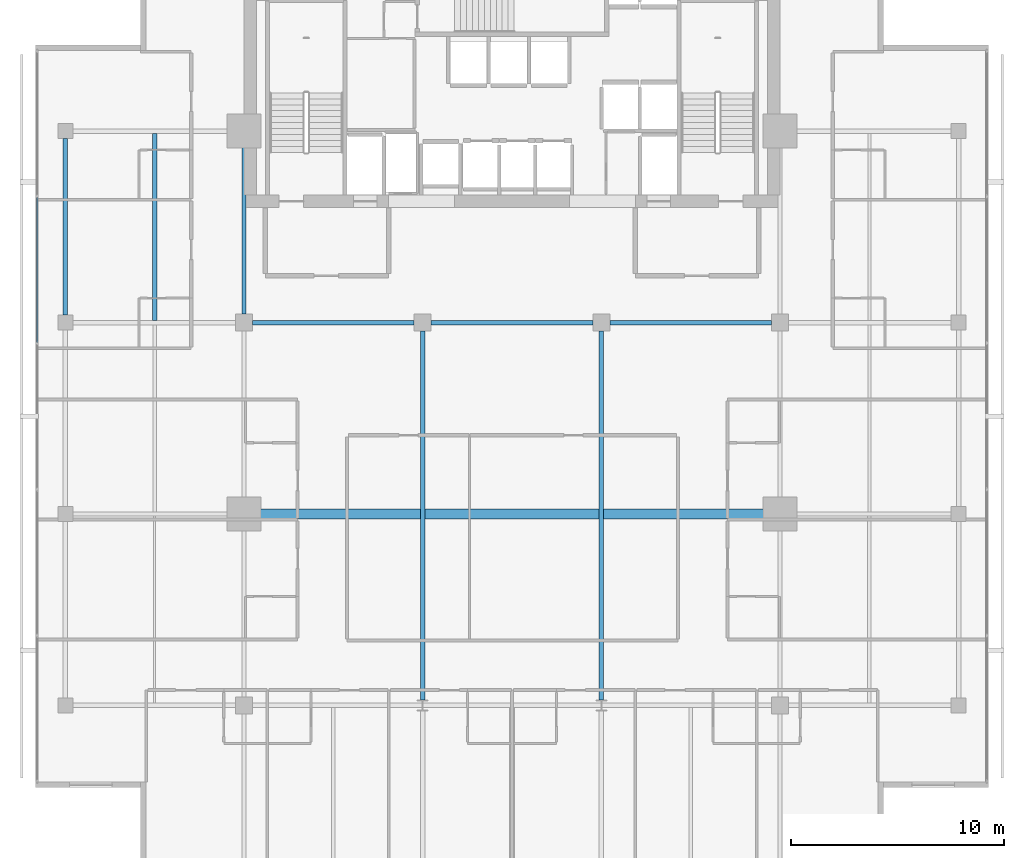
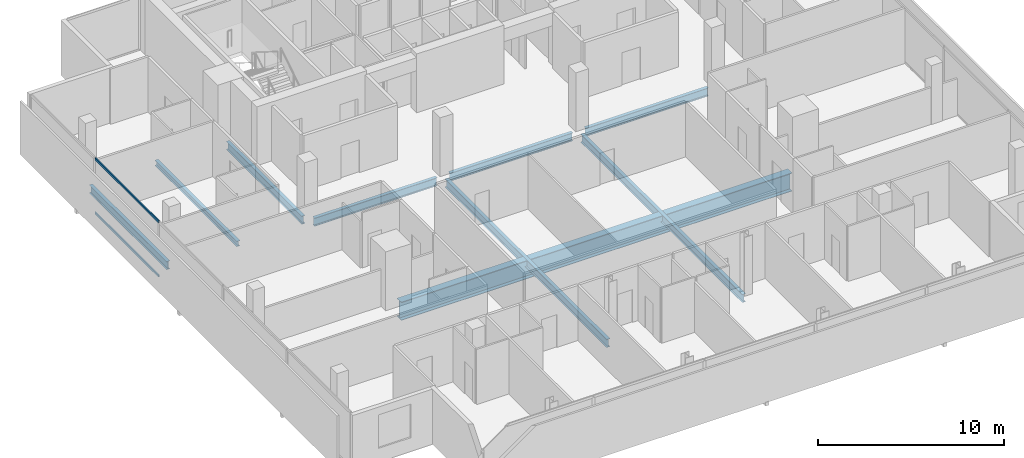
# One storey, part 9 of 25: 9 beams, 2 members, 1 element without a shape of its own.
"""IFC4 building model written with IfcOpenShell, lengths in metres."""

from ifc_helpers import new_model, si_unit, direction, frame, origin, origin_2d, place, context, subcontext, project, spatial, hollow_rectangle, i_section, extrude, material, layer, layer_set, material_profile, profile_set, type_object, element, aggregate, save


model = new_model("IFC4")

# Units and contexts
model_context = context("Model", 3, precision=1e-05, world=origin(), true_north=direction((0.0, 1.0)))
body_context = subcontext(model_context, "Body", "Model", "MODEL_VIEW")
ifc_project = project(units=[si_unit("LENGTHUNIT", "METRE"), si_unit("AREAUNIT", "SQUARE_METRE"), si_unit("VOLUMEUNIT", "CUBIC_METRE"), si_unit("PLANEANGLEUNIT", "RADIAN"), si_unit("MASSUNIT", "GRAM", prefix="KILO")], contexts=[model_context])

# Site, building, storey
site_placement = place(None, origin())
site = spatial("IfcSite", under=ifc_project, at=site_placement, CompositionType="ELEMENT")
building_placement = place(site_placement, origin())
building = spatial("IfcBuilding", under=site, at=building_placement, Name="Maruvema Waterfront Hotel and Observation Tower", CompositionType="ELEMENT")
storey_placement = place(building_placement, frame((0.0, 0.0, 239.39990234375)))
storey = spatial("IfcBuildingStorey", under=building, at=storey_placement, Name="L58", CompositionType="ELEMENT", Elevation=239.39990234375)

# Curtain wall, members
ifc_material_1 = material(Name="Anodised bronze aluminium and solar-control low-E IGU", Category="aluminium")
ifc_layer = layer(ifc_material_1, 0.159912109375, Name="Zone 3 Champagne Inner Thermal Curtain Wall System CW-04")
ifc_layer_set = layer_set([ifc_layer], Name="Anodised bronze aluminium and solar-control low-E IGU")
curtain_wall_type = type_object("IfcCurtainWallType", Name="Zone 3 Champagne Inner Thermal Curtain Wall System CW-04", PredefinedType="USERDEFINED", material=ifc_layer_set)
curtain_wall_placement = place(storey_placement, origin())
curtain_wall = element("IfcCurtainWall", 1, at=curtain_wall_placement, inside=storey, type_object=curtain_wall_type, Name="L58 Curtain Wall CW-L58-W", ObjectType="UNITISED CURTAIN WALL", PredefinedType="USERDEFINED")
ifc_material_2 = material(Name="Anodised architectural bronze aluminium", Category="aluminium")
ifc_material_profile_1 = material_profile(ifc_material_2, hollow_rectangle(XDim=0.070068359375, YDim=0.14990234375, WallThickness=0.00390625, at=origin_2d()), Name="ALU-T70x150")
ifc_profile_set_1 = profile_set([ifc_material_profile_1], Name="Anodised architectural bronze aluminium")
member_type = type_object("IfcMemberType", Name="Curtain Wall Horizontal Transom ALU-T70x150", PredefinedType="USERDEFINED", material=ifc_profile_set_1)
member_1_placement = place(storey_placement, frame((15.47998046875, 41.889892578125, 0.030029296875), z_axis=(0.0, -1.0, 0.0), x_axis=(1.0, 0.0, 0.0)))
member_1 = element("IfcMember", 2, at=member_1_placement, type_object=member_type, Name="CW-04 transom 2.1", ObjectType="TRANSOM", PredefinedType="USERDEFINED", context=body_context, shape_type="SweptSolid", body=[
    extrude(hollow_rectangle(XDim=0.070068359375, YDim=0.14990234375, WallThickness=0.00390625, at=origin_2d()), origin(), (0.0, 0.0, 1.0), 6.81982421875),
])
member_2_placement = place(storey_placement, frame((15.47998046875, 41.889892578125, 3.580078125), z_axis=(0.0, -1.0, 0.0), x_axis=(1.0, 0.0, 0.0)))
member_2 = element("IfcMember", 3, at=member_2_placement, type_object=member_type, Name="CW-04 transom 2.2", ObjectType="TRANSOM", PredefinedType="USERDEFINED", context=body_context, shape_type="SweptSolid", body=[
    extrude(hollow_rectangle(XDim=0.070068359375, YDim=0.14990234375, WallThickness=0.00390625, at=origin_2d()), origin(), (0.0, 0.0, 1.0), 6.81982421875),
])
aggregate(curtain_wall, [member_1, member_2])

# Beams
ifc_material_3 = material(Name="Steel ASTM A572 Grade 50", Category="steel")
ifc_material_profile_2 = material_profile(ifc_material_3, i_section(OverallWidth=0.208984375, OverallDepth=0.532958984375, WebThickness=0.01025390625, FlangeThickness=0.015625, FilletRadius=0.014892578125, at=origin_2d()), Name="W530x92.0")
ifc_profile_set_2 = profile_set([ifc_material_profile_2], Name="Steel ASTM A572 Grade 50")
beam_type_1 = type_object("IfcBeamType", Name="Primary Floor Girder W530x92.0", PredefinedType="BEAM", material=ifc_profile_set_2)
beam_1_placement = place(storey_placement, frame((25.60009765625, 36.0, -0.50634765625), z_axis=(1.0, 0.0, 0.0), x_axis=(0.0, 1.0, 0.0)))
element("IfcBeam", 4, at=beam_1_placement, inside=storey, type_object=beam_type_1, Name="L58 Floor Girder EW-13", PredefinedType="BEAM", context=body_context, shape_type="SweptSolid", body=[
    extrude(i_section(OverallWidth=0.208984375, OverallDepth=0.532958984375, WebThickness=0.01025390625, FlangeThickness=0.015625, FilletRadius=0.014892578125, at=origin_2d()), origin(), (0.0, 0.0, 1.0), 7.599853515625),
])
for number, where, z_axis, x_axis, name in (
    (5, (34.0, 36.0, -0.50634765625), (1.0, 0.0, 0.0), (0.0, 1.0, 0.0), "L58 Floor Girder EW-14"),
    (6, (42.39990234375, 36.0, -0.50634765625), (1.0, 0.0, 0.0), (0.0, 1.0, 0.0), "L58 Floor Girder EW-15"),
):
    element("IfcBeam", number, at=place(storey_placement, frame(where, z_axis=z_axis, x_axis=x_axis)), inside=storey, type_object=beam_type_1, Name=name, PredefinedType="BEAM", context=body_context, shape_type="SweptSolid", body=[
        extrude(i_section(OverallWidth=0.208984375, OverallDepth=0.532958984375, WebThickness=0.01025390625, FlangeThickness=0.015625, FilletRadius=0.014892578125, at=origin_2d()), origin(), (0.0, 0.0, 1.0), 7.60009765625),
    ])
beam_2_placement = place(storey_placement, frame((16.800048828125, 36.35009765625, -0.50634765625), z_axis=(0.0, 1.0, 0.0), x_axis=(-1.0, 0.0, 0.0)))
element("IfcBeam", 7, at=beam_2_placement, inside=storey, type_object=beam_type_1, Name="L58 Floor Girder NS-03", PredefinedType="BEAM", context=body_context, shape_type="SweptSolid", body=[
    extrude(i_section(OverallWidth=0.208984375, OverallDepth=0.532958984375, WebThickness=0.01025390625, FlangeThickness=0.015625, FilletRadius=0.014892578125, at=origin_2d()), origin(), (0.0, 0.0, 1.0), 8.2998046875),
])
beam_3_placement = place(storey_placement, frame((25.199951171875, 36.39990234375, -0.50634765625), z_axis=(0.0, 1.0, 0.0), x_axis=(-1.0, 0.0, 0.0)))
element("IfcBeam", 8, at=beam_3_placement, inside=storey, type_object=beam_type_1, Name="L58 Floor Girder NS-07", PredefinedType="BEAM", context=body_context, shape_type="SweptSolid", body=[
    extrude(i_section(OverallWidth=0.208984375, OverallDepth=0.532958984375, WebThickness=0.01025390625, FlangeThickness=0.015625, FilletRadius=0.014892578125, at=origin_2d()), origin(), (0.0, 0.0, 1.0), 8.10009765625),
])
for number, where, z_axis, x_axis, name in (
    (9, (33.60009765625, 18.25, -0.50634765625), (0.0, 1.0, 0.0), (-1.0, 0.0, 0.0), "L58 Floor Girder NS-09"),
    (10, (42.0, 18.25, -0.50634765625), (0.0, 1.0, 0.0), (-1.0, 0.0, 0.0), "L58 Floor Girder NS-11"),
):
    element("IfcBeam", number, at=place(storey_placement, frame(where, z_axis=z_axis, x_axis=x_axis)), inside=storey, type_object=beam_type_1, Name=name, PredefinedType="BEAM", context=body_context, shape_type="SweptSolid", body=[
        extrude(i_section(OverallWidth=0.208984375, OverallDepth=0.532958984375, WebThickness=0.01025390625, FlangeThickness=0.015625, FilletRadius=0.014892578125, at=origin_2d()), origin(), (0.0, 0.0, 1.0), 17.35009765625),
    ])
ifc_material_4 = material(Name="Steel ASTM A572 Grade 50", Category="steel")
ifc_material_profile_3 = material_profile(ifc_material_4, i_section(OverallWidth=0.202880859375, OverallDepth=0.346923828125, WebThickness=0.0078125, FlangeThickness=0.013427734375, FilletRadius=0.014892578125, at=origin_2d()), Name="W360x64.0")
ifc_profile_set_3 = profile_set([ifc_material_profile_3], Name="Steel ASTM A572 Grade 50")
beam_type_2 = type_object("IfcBeamType", Name="Secondary Floor Joist W360x64.0", PredefinedType="JOIST", material=ifc_profile_set_3)
beam_4_placement = place(storey_placement, frame((21.0, 36.1044921875, -0.413330078125), z_axis=(0.0, 1.0, 0.0), x_axis=(-1.0, 0.0, 0.0)))
element("IfcBeam", 11, at=beam_4_placement, inside=storey, type_object=beam_type_2, Name="L58 Secondary Floor Joist JS-03", PredefinedType="JOIST", context=body_context, shape_type="SweptSolid", body=[
    extrude(i_section(OverallWidth=0.202880859375, OverallDepth=0.346923828125, WebThickness=0.0078125, FlangeThickness=0.013427734375, FilletRadius=0.014892578125, at=origin_2d()), origin(), (0.0, 0.0, 1.0), 8.791015625),
])
ifc_material_5 = material(Name="Steel ABNT NBR 7007 AR 415 (ASTM A572 Grade 50)", Category="steel")
ifc_material_profile_4 = material_profile(ifc_material_5, i_section(OverallWidth=0.449951171875, OverallDepth=1.199951171875, WebThickness=0.01904296875, FlangeThickness=0.031982421875, at=origin_2d()), Name="VS1200x366")
ifc_profile_set_4 = profile_set([ifc_material_profile_4], Name="Steel ABNT NBR 7007 AR 415 (ASTM A572 Grade 50)")
beam_type_3 = type_object("IfcBeamType", Name="Upper Setback Transfer Girder VS1200x366", PredefinedType="USERDEFINED", material=ifc_profile_set_4)
beam_5_placement = place(storey_placement, frame((25.699951171875, 27.0, -0.83984375), z_axis=(1.0, 0.0, 0.0), x_axis=(0.0, 1.0, 0.0)))
element("IfcBeam", 12, at=beam_5_placement, inside=storey, type_object=beam_type_3, Name="L58 Floor Girder EW-10", ObjectType="TRANSFER GIRDER", PredefinedType="USERDEFINED", context=body_context, shape_type="SweptSolid", body=[
    extrude(i_section(OverallWidth=0.449951171875, OverallDepth=1.199951171875, WebThickness=0.01904296875, FlangeThickness=0.031982421875, at=origin_2d()), origin(), (0.0, 0.0, 1.0), 24.199951171875),
])

save(model, "model.ifc")
